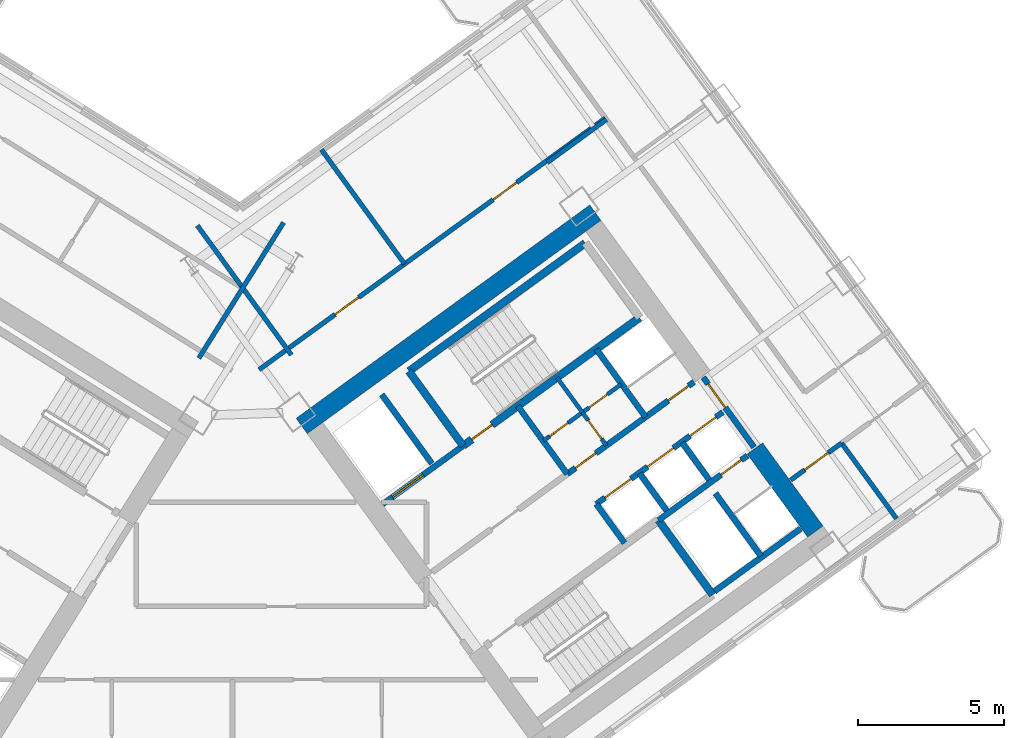
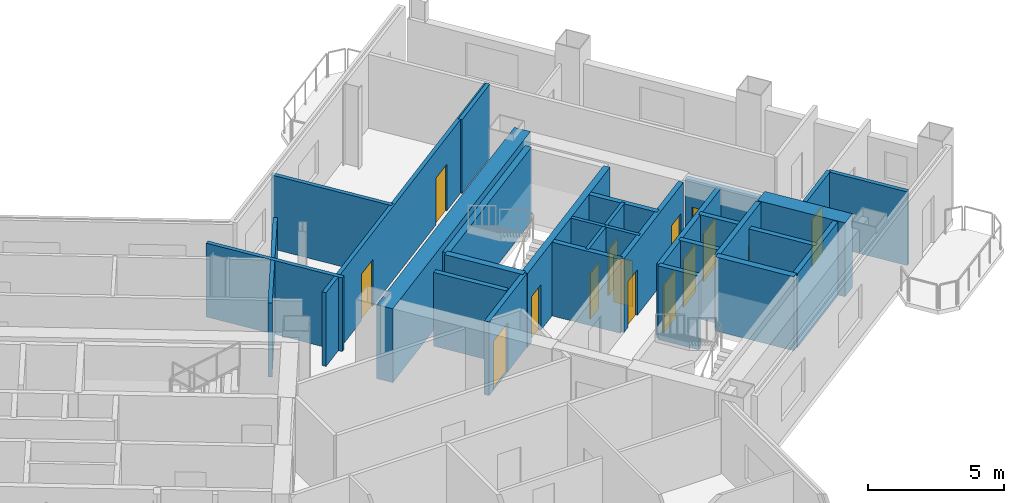
# One storey, part 14 of 21: 29 walls, 15 doors, 15 openings.
"""IFC4 building model written with IfcOpenShell, lengths in metres."""

from ifc_helpers import new_model, si_unit, direction, frame, frame_2d, origin, place, context, subcontext, project, spatial, rectangle, extrude, source, transform, mapped, material, layer, layer_set, type_object, element, fill, save


model = new_model("IFC4")

# Units and contexts
model_context = context("Model", 3, precision=1e-05, world=origin(), true_north=direction((0.0, 1.0)))
body_context = subcontext(model_context, "Body", "Model", "MODEL_VIEW")
ifc_project = project(units=[si_unit("LENGTHUNIT", "METRE"), si_unit("AREAUNIT", "SQUARE_METRE"), si_unit("VOLUMEUNIT", "CUBIC_METRE"), si_unit("PLANEANGLEUNIT", "RADIAN"), si_unit("MASSUNIT", "GRAM", prefix="KILO")], contexts=[model_context])

# Site, building, storey
site_placement = place(None, origin())
site = spatial("IfcSite", under=ifc_project, at=site_placement, CompositionType="ELEMENT")
building_placement = place(site_placement, origin())
building = spatial("IfcBuilding", under=site, at=building_placement, Name="Tlacorven Tower", CompositionType="ELEMENT")
storey_placement = place(building_placement, frame((0.0, 0.0, 81.0)))
storey = spatial("IfcBuildingStorey", under=building, at=storey_placement, Name="L20", CompositionType="ELEMENT", Elevation=81.0)

# Walls
ifc_material_1 = material(Name="Concrete C60/75", Category="concrete")
ifc_layer_1 = layer(ifc_material_1, 0.64990234375)
ifc_layer_set_1 = layer_set([ifc_layer_1], Name="Concrete C60/75")
wall_type_1 = type_object("IfcWallType", Name="WL-COR-650", PredefinedType="SHEAR", material=ifc_layer_set_1)
wall_1_placement = place(storey_placement, frame((44.32470703125, 24.113037109375, 0.0), z_axis=(0.0, 0.0, 1.0), x_axis=(0.809012664862, 0.58779121131, 0.0)))
element("IfcWall", 1, at=wall_1_placement, inside=storey, type_object=wall_type_1, Name="L20 E core shear wall S2", PredefinedType="SHEAR", context=body_context, shape_type="SweptSolid", body=[
    extrude(rectangle(XDim=12.439697265625, YDim=0.64990234375, at=frame_2d((6.2197265625, 0.0))), origin(), (0.0, 0.0, 1.0), 3.320068359375),
])
wall_2_placement = place(storey_placement, frame((61.9287109375, 20.494384765625, 0.0), z_axis=(0.0, 0.0, 1.0), x_axis=(-0.58782982593, 0.808984607855, 0.0)))
element("IfcWall", 2, at=wall_2_placement, inside=storey, type_object=wall_type_1, Name="L20 E core end wall E2.1", PredefinedType="SHEAR", context=body_context, shape_type="SweptSolid", body=[
    extrude(rectangle(XDim=3.52490234375, YDim=0.64990234375, at=frame_2d((1.762451171875, 0.0))), origin(), (0.0, 0.0, 1.0), 3.320068359375),
])
ifc_material_2 = material(Name="Gypsum plasterboard acoustic partition", Category="gypsum")
ifc_layer_2 = layer(ifc_material_2, 0.159912109375)
ifc_layer_set_2 = layer_set([ifc_layer_2], Name="Gypsum plasterboard acoustic partition")
wall_type_2 = type_object("IfcWallType", Name="WL-DEM-160", PredefinedType="PARTITIONING", material=ifc_layer_set_2)
wall_3_placement = place(storey_placement, frame((43.70361328125, 31.086181640625, 0.0), z_axis=(0.0, 0.0, 1.0), x_axis=(-0.529906828443, -0.848055866774, 0.0)))
element("IfcWall", 3, at=wall_3_placement, inside=storey, type_object=wall_type_2, Name="L20 WC West Throat Wall", PredefinedType="PARTITIONING", context=body_context, shape_type="SweptSolid", body=[
    extrude(rectangle(XDim=5.479736328125, YDim=0.159912109375, at=frame_2d((2.73974609375, 0.0))), origin(), (0.0, 0.0, 1.0), 3.31005859375),
])

# Wall, opening, door
wall_4_placement = place(storey_placement, frame((61.08203125, 22.258544921875, 0.0), z_axis=(0.0, 0.0, 1.0), x_axis=(0.809044195715, 0.587747811039, 0.0)))
wall_4 = element("IfcWall", 4, at=wall_4_placement, inside=storey, type_object=wall_type_2, Name="L20 partition 91", PredefinedType="PARTITIONING", context=body_context, shape_type="SweptSolid", body=[
    extrude(rectangle(XDim=2.157958984375, YDim=0.159912109375, at=frame_2d((1.0791015625, 0.0))), origin(), (0.0, 0.0, 1.0), 3.31005859375),
])
opening_1_placement = place(wall_4_placement, frame((0.597900390625, 0.0, 0.0)))
opening_1 = element("IfcOpeningElement", 5, at=opening_1_placement, cuts=wall_4, Name="Opening D11", PredefinedType="OPENING", context=body_context, shape_type="SweptSolid", body=[
    extrude(rectangle(XDim=1.0, YDim=2.10009765625, at=frame_2d((0.5, 1.050048828125))), frame((0.0, 0.08984375, 0.0), z_axis=(0.0, -1.0, 0.0), x_axis=(1.0, 0.0, 0.0)), (0.0, 0.0, 1.0), 0.179931640625),
])
ifc_material_3 = material(Name="Fire-rated steel door assembly", Category="steel")
door_type_1 = type_object("IfcDoorType", Name="DR-FLT-FD60-1000", OperationType="NOTDEFINED", PredefinedType="DOOR", material=ifc_material_3)
shared_shape_1 = source(origin(), body_context, "Body", "SweptSolid", [
    extrude(rectangle(XDim=1.0, YDim=2.10009765625, at=frame_2d((0.5, 1.050048828125))), frame((0.0, 0.02490234375, 0.0), z_axis=(0.0, -1.0, 0.0), x_axis=(1.0, 0.0, 0.0)), (0.0, 0.0, 1.0), 0.050048828125),
])
door_1_placement = place(opening_1_placement, frame((1.0, 0.0, 0.0), z_axis=(0.0, 0.0, 1.0), x_axis=(-1.0, 0.0, 0.0)))
door_1 = element("IfcDoor", 6, at=door_1_placement, inside=storey, type_object=door_type_1, Name="L20 door 055", OperationType="SINGLE_SWING_LEFT", OverallHeight=2.10009765625, OverallWidth=1.0, PredefinedType="DOOR", context=body_context, shape_type="MappedRepresentation", body=[
    mapped(shared_shape_1, transform((0.0, 0.0, 0.0), scale=1.0)),
])
fill(opening_1, door_1)

# Walls
wall_5_placement = place(storey_placement, frame((52.73876953125, 33.143310546875, 0.0), z_axis=(0.0, 0.0, 1.0), x_axis=(0.809000999347, 0.58780726693, 0.0)))
element("IfcWall", 7, at=wall_5_placement, inside=storey, type_object=wall_type_2, Name="L20 partition 92", PredefinedType="PARTITIONING", context=body_context, shape_type="SweptSolid", body=[
    extrude(rectangle(XDim=2.510009765625, YDim=0.159912109375, at=frame_2d((1.2548828125, 0.0))), origin(), (0.0, 0.0, 1.0), 3.31005859375),
])
wall_6_placement = place(storey_placement, frame((64.708740234375, 20.93798828125, 0.0), z_axis=(0.0, 0.0, 1.0), x_axis=(-0.587772420479, 0.809026317077, 0.0)))
element("IfcWall", 8, at=wall_6_placement, inside=storey, type_object=wall_type_2, Name="L20 partition 93", PredefinedType="PARTITIONING", context=body_context, shape_type="SweptSolid", body=[
    extrude(rectangle(XDim=3.199951171875, YDim=0.159912109375, at=frame_2d((1.60009765625, 0.0))), origin(), (0.0, 0.0, 1.0), 3.31005859375),
])

# Wall, openings, doors
wall_7_placement = place(storey_placement, frame((42.86572265625, 26.04443359375, 0.0), z_axis=(0.0, 0.0, 1.0), x_axis=(0.809020254154, 0.587780765566, 0.0)))
wall_7 = element("IfcWall", 9, at=wall_7_placement, inside=storey, type_object=wall_type_2, Name="L20 partition 99", PredefinedType="PARTITIONING", context=body_context, shape_type="SweptSolid", body=[
    extrude(rectangle(XDim=14.670166015625, YDim=0.159912109375, at=frame_2d((7.3349609375, 0.0))), origin(), (0.0, 0.0, 1.0), 3.31005859375),
])
opening_2_placement = place(wall_7_placement, frame((3.215087890625, 0.0, 0.0)))
opening_2 = element("IfcOpeningElement", 10, at=opening_2_placement, cuts=wall_7, Name="Opening D11", PredefinedType="OPENING", context=body_context, shape_type="SweptSolid", body=[
    extrude(rectangle(XDim=1.0, YDim=2.10009765625, at=frame_2d((0.5, 1.050048828125))), frame((0.0, 0.08984375, 0.0), z_axis=(0.0, -1.0, 0.0), x_axis=(1.0, 0.0, 0.0)), (0.0, 0.0, 1.0), 0.179931640625),
])
opening_3_placement = place(wall_7_placement, frame((9.9150390625, 0.0, 0.0)))
opening_3 = element("IfcOpeningElement", 11, at=opening_3_placement, cuts=wall_7, Name="Opening D11", PredefinedType="OPENING", context=body_context, shape_type="SweptSolid", body=[
    extrude(rectangle(XDim=1.0, YDim=2.10009765625, at=frame_2d((0.5, 1.050048828125))), frame((0.0, 0.08984375, 0.0), z_axis=(0.0, -1.0, 0.0), x_axis=(1.0, 0.0, 0.0)), (0.0, 0.0, 1.0), 0.179931640625),
])
door_2_placement = place(opening_2_placement, origin())
door_2 = element("IfcDoor", 12, at=door_2_placement, inside=storey, type_object=door_type_1, Name="L20 door 060", OperationType="SINGLE_SWING_RIGHT", OverallHeight=2.10009765625, OverallWidth=1.0, PredefinedType="DOOR", context=body_context, shape_type="MappedRepresentation", body=[
    mapped(shared_shape_1, transform((0.0, 0.0, 0.0), scale=1.0)),
])
fill(opening_2, door_2)
door_3_placement = place(opening_3_placement, origin())
door_3 = element("IfcDoor", 13, at=door_3_placement, inside=storey, type_object=door_type_1, Name="L20 door 061", OperationType="SINGLE_SWING_LEFT", OverallHeight=2.10009765625, OverallWidth=1.0, PredefinedType="DOOR", context=body_context, shape_type="MappedRepresentation", body=[
    mapped(shared_shape_1, transform((0.0, 0.0, 0.0), scale=1.0)),
])
fill(opening_3, door_3)

# Walls
wall_8_placement = place(storey_placement, frame((43.969482421875, 26.549560546875, 0.0), z_axis=(0.0, 0.0, 1.0), x_axis=(-0.587776919386, 0.80902304852, 0.0)))
element("IfcWall", 14, at=wall_8_placement, inside=storey, type_object=wall_type_2, Name="L20 EC West Throat Wall", PredefinedType="PARTITIONING", context=body_context, shape_type="SweptSolid", body=[
    extrude(rectangle(XDim=5.47998046875, YDim=0.159912109375, at=frame_2d((2.739990234375, 0.0))), origin(), (0.0, 0.0, 1.0), 3.31005859375),
])
wall_9_placement = place(storey_placement, frame((47.849365234375, 29.6650390625, 0.0), z_axis=(0.0, 0.0, 1.0), x_axis=(-0.587785532001, 0.809016791155, 0.0)))
element("IfcWall", 15, at=wall_9_placement, inside=storey, type_object=wall_type_2, Name="L20 EC Demising Wall 1", PredefinedType="PARTITIONING", context=body_context, shape_type="SweptSolid", body=[
    extrude(rectangle(XDim=4.85009765625, YDim=0.159912109375, at=frame_2d((2.425048828125, 0.0))), origin(), (0.0, 0.0, 1.0), 3.31005859375),
])

# Wall, opening, door
ifc_material_4 = material(Name="Moisture-resistant gypsum plumbing wall", Category="gypsum")
ifc_layer_3 = layer(ifc_material_4, 0.139892578125)
ifc_layer_set_3 = layer_set([ifc_layer_3], Name="Moisture-resistant gypsum plumbing wall")
wall_type_3 = type_object("IfcWallType", Name="WL-PLM-140", PredefinedType="PLUMBINGWALL", material=ifc_layer_set_3)
wall_10_placement = place(storey_placement, frame((54.767578125, 23.443359375, 0.0), z_axis=(0.0, 0.0, 1.0), x_axis=(-0.587736077749, 0.809052719489, 0.0)))
wall_10 = element("IfcWall", 16, at=wall_10_placement, inside=storey, type_object=wall_type_3, Name="L20 partition 46", PredefinedType="PLUMBINGWALL", context=body_context, shape_type="SweptSolid", body=[
    extrude(rectangle(XDim=1.39990234375, YDim=0.139892578125, at=frame_2d((0.699951171875, 0.0))), origin(), (0.0, 0.0, 1.0), 3.31005859375),
])
opening_4_placement = place(wall_10_placement, frame((0.280029296875, 0.0, 0.0)))
opening_4 = element("IfcOpeningElement", 17, at=opening_4_placement, cuts=wall_10, Name="Opening D22", PredefinedType="OPENING", context=body_context, shape_type="SweptSolid", body=[
    extrude(rectangle(XDim=0.780029296875, YDim=2.050048828125, at=frame_2d((0.39013671875, 1.02490234375))), frame((0.0, 0.080078125, 0.0), z_axis=(0.0, -1.0, 0.0), x_axis=(1.0, 0.0, 0.0)), (0.0, 0.0, 1.0), 0.159912109375),
])
ifc_material_5 = material(Name="Powder-coated aluminium and timber door", Category="wood")
door_type_2 = type_object("IfcDoorType", Name="DR-INT-WET-0780", OperationType="NOTDEFINED", PredefinedType="DOOR", material=ifc_material_5)
shared_shape_2 = source(origin(), body_context, "Body", "SweptSolid", [
    extrude(rectangle(XDim=0.780029296875, YDim=2.050048828125, at=frame_2d((0.39013671875, 1.02490234375))), frame((0.0, 0.02490234375, 0.0), z_axis=(0.0, -1.0, 0.0), x_axis=(1.0, 0.0, 0.0)), (0.0, 0.0, 1.0), 0.050048828125),
])
door_4_placement = place(opening_4_placement, origin())
door_4 = element("IfcDoor", 18, at=door_4_placement, inside=storey, type_object=door_type_2, Name="L20 door 019", OperationType="SINGLE_SWING_RIGHT", OverallHeight=2.050048828125, OverallWidth=0.780029296875, PredefinedType="DOOR", context=body_context, shape_type="MappedRepresentation", body=[
    mapped(shared_shape_2, transform((0.0, 0.0, 0.0), scale=1.0)),
])
fill(opening_4, door_4)

# Wall
wall_11_placement = place(storey_placement, frame((53.94482421875, 24.575927734375, 0.0), z_axis=(0.0, 0.0, 1.0), x_axis=(-0.587897037186, 0.808935766095, 0.0)))
element("IfcWall", 19, at=wall_11_placement, inside=storey, type_object=wall_type_3, Name="L20 partition 47", PredefinedType="PLUMBINGWALL", context=body_context, shape_type="SweptSolid", body=[
    extrude(rectangle(XDim=1.47998046875, YDim=0.139892578125, at=frame_2d((0.739990234375, 0.0))), origin(), (0.0, 0.0, 1.0), 3.31005859375),
])

# Wall, openings, doors
wall_12_placement = place(storey_placement, frame((52.617919921875, 23.612060546875, 0.0), z_axis=(0.0, 0.0, 1.0), x_axis=(0.809009587469, 0.587795446889, 0.0)))
wall_12 = element("IfcWall", 20, at=wall_12_placement, inside=storey, type_object=wall_type_3, Name="L20 partition 48", PredefinedType="PLUMBINGWALL", context=body_context, shape_type="SweptSolid", body=[
    extrude(rectangle(XDim=3.280029296875, YDim=0.139892578125, at=frame_2d((1.64013671875, 0.0))), origin(), (0.0, 0.0, 1.0), 3.31005859375),
])
opening_5_placement = place(wall_12_placement, frame((0.25, 0.0, 0.0)))
opening_5 = element("IfcOpeningElement", 21, at=opening_5_placement, cuts=wall_12, Name="Opening D22", PredefinedType="OPENING", context=body_context, shape_type="SweptSolid", body=[
    extrude(rectangle(XDim=0.780029296875, YDim=2.050048828125, at=frame_2d((0.39013671875, 1.02490234375))), frame((0.0, 0.080078125, 0.0), z_axis=(0.0, -1.0, 0.0), x_axis=(1.0, 0.0, 0.0)), (0.0, 0.0, 1.0), 0.159912109375),
])
opening_6_placement = place(wall_12_placement, frame((1.919921875, 0.0, 0.0)))
opening_6 = element("IfcOpeningElement", 22, at=opening_6_placement, cuts=wall_12, Name="Opening D22", PredefinedType="OPENING", context=body_context, shape_type="SweptSolid", body=[
    extrude(rectangle(XDim=0.780029296875, YDim=2.050048828125, at=frame_2d((0.39013671875, 1.02490234375))), frame((0.0, 0.080078125, 0.0), z_axis=(0.0, -1.0, 0.0), x_axis=(1.0, 0.0, 0.0)), (0.0, 0.0, 1.0), 0.159912109375),
])
door_5_placement = place(opening_5_placement, origin())
door_5 = element("IfcDoor", 23, at=door_5_placement, inside=storey, type_object=door_type_2, Name="L20 door 020", OperationType="SINGLE_SWING_LEFT", OverallHeight=2.050048828125, OverallWidth=0.780029296875, PredefinedType="DOOR", context=body_context, shape_type="MappedRepresentation", body=[
    mapped(shared_shape_2, transform((0.0, 0.0, 0.0), scale=1.0)),
])
fill(opening_5, door_5)
door_6_placement = place(opening_6_placement, origin())
door_6 = element("IfcDoor", 24, at=door_6_placement, inside=storey, type_object=door_type_2, Name="L20 door 021", OperationType="SINGLE_SWING_RIGHT", OverallHeight=2.050048828125, OverallWidth=0.780029296875, PredefinedType="DOOR", context=body_context, shape_type="MappedRepresentation", body=[
    mapped(shared_shape_2, transform((0.0, 0.0, 0.0), scale=1.0)),
])
fill(opening_6, door_6)

# Wall, opening, door
ifc_material_6 = material(Name="Concrete C40/50", Category="concrete")
ifc_layer_4 = layer(ifc_material_6, 0.199951171875)
ifc_layer_set_4 = layer_set([ifc_layer_4], Name="Concrete C40/50")
wall_type_4 = type_object("IfcWallType", Name="WL-SHF-200", PredefinedType="STANDARD", material=ifc_layer_set_4)
wall_13_placement = place(storey_placement, frame((47.10595703125, 21.4365234375, 0.0), z_axis=(0.0, 0.0, 1.0), x_axis=(0.809012514015, 0.58779141893, 0.0)))
wall_13 = element("IfcWall", 25, at=wall_13_placement, inside=storey, type_object=wall_type_4, Name="L20 Core E Firefighting Lift Shaft Front Wall", PredefinedType="STANDARD", context=body_context, shape_type="SweptSolid", body=[
    extrude(rectangle(XDim=3.39794921875, YDim=0.199951171875, at=frame_2d((1.698974609375, 0.0))), origin(), (0.0, 0.0, 1.0), 3.31005859375),
])
opening_7_placement = place(wall_13_placement, frame((0.407958984375, 0.0, 0.0)))
opening_7 = element("IfcOpeningElement", 26, at=opening_7_placement, cuts=wall_13, Name="Opening LD03", PredefinedType="OPENING", context=body_context, shape_type="SweptSolid", body=[
    extrude(rectangle(XDim=1.300048828125, YDim=2.199951171875, at=frame_2d((0.64990234375, 1.10009765625))), frame((0.0, 0.10986328125, 0.0), z_axis=(0.0, -1.0, 0.0), x_axis=(1.0, 0.0, 0.0)), (0.0, 0.0, 1.0), 0.219970703125),
])
door_type_3 = type_object("IfcDoorType", Name="DR-LFT-SLID-1300", OperationType="DOUBLE_DOOR_SLIDING", PredefinedType="DOOR", material=ifc_material_3)
shared_shape_3 = source(origin(), body_context, "Body", "SweptSolid", [
    extrude(rectangle(XDim=1.300048828125, YDim=2.199951171875, at=frame_2d((0.64990234375, 1.10009765625))), frame((0.0, 0.02490234375, 0.0), z_axis=(0.0, -1.0, 0.0), x_axis=(1.0, 0.0, 0.0)), (0.0, 0.0, 1.0), 0.050048828125),
])
door_7_placement = place(opening_7_placement, origin())
door_7 = element("IfcDoor", 27, at=door_7_placement, inside=storey, type_object=door_type_3, Name="L20 Lift FFL-E1 Sliding Landing Door", OperationType="DOUBLE_DOOR_SLIDING", OverallHeight=2.199951171875, OverallWidth=1.300048828125, PredefinedType="DOOR", context=body_context, shape_type="MappedRepresentation", body=[
    mapped(shared_shape_3, transform((0.0, 0.0, 0.0), scale=1.0)),
])
fill(opening_7, door_7)

wall_14_placement = place(storey_placement, frame((56.552978515625, 20.884033203125, 0.0), z_axis=(0.0, 0.0, 1.0), x_axis=(0.809035789462, 0.587759382205, 0.0)))
wall_14 = element("IfcWall", 28, at=wall_14_placement, inside=storey, type_object=wall_type_4, Name="L20 Core E South Lift Shaft Wall", PredefinedType="STANDARD", context=body_context, shape_type="SweptSolid", body=[
    extrude(rectangle(XDim=3.767822265625, YDim=0.199951171875, at=frame_2d((1.8837890625, 0.0))), origin(), (0.0, 0.0, 1.0), 3.31005859375),
])
opening_8_placement = place(wall_14_placement, frame((2.64990234375, 0.0, 0.0)))
opening_8 = element("IfcOpeningElement", 29, at=opening_8_placement, cuts=wall_14, Name="Opening D19", PredefinedType="OPENING", context=body_context, shape_type="SweptSolid", body=[
    extrude(rectangle(XDim=0.860107421875, YDim=2.050048828125, at=frame_2d((0.43017578125, 1.02490234375))), frame((0.0, 0.10986328125, 0.0), z_axis=(0.0, -1.0, 0.0), x_axis=(1.0, 0.0, 0.0)), (0.0, 0.0, 1.0), 0.219970703125),
])
door_type_4 = type_object("IfcDoorType", Name="DR-RSR-FD60-0860", OperationType="NOTDEFINED", PredefinedType="DOOR", material=ifc_material_3)
shared_shape_4 = source(origin(), body_context, "Body", "SweptSolid", [
    extrude(rectangle(XDim=0.860107421875, YDim=2.050048828125, at=frame_2d((0.43017578125, 1.02490234375))), frame((0.0, 0.02490234375, 0.0), z_axis=(0.0, -1.0, 0.0), x_axis=(1.0, 0.0, 0.0)), (0.0, 0.0, 1.0), 0.050048828125),
])
door_8_placement = place(opening_8_placement, origin())
door_8 = element("IfcDoor", 30, at=door_8_placement, inside=storey, type_object=door_type_4, Name="L20 Smoke Extract Riser Access Door", OperationType="SINGLE_SWING_LEFT", OverallHeight=2.050048828125, OverallWidth=0.860107421875, PredefinedType="DOOR", context=body_context, shape_type="MappedRepresentation", body=[
    mapped(shared_shape_4, transform((0.0, 0.0, 0.0), scale=1.0)),
])
fill(opening_8, door_8)

# Wall, openings, doors
wall_15_placement = place(storey_placement, frame((54.421142578125, 21.436279296875, 0.0), z_axis=(0.0, 0.0, 1.0), x_axis=(0.809013710463, 0.587789772183, 0.0)))
wall_15 = element("IfcWall", 31, at=wall_15_placement, inside=storey, type_object=wall_type_4, Name="L20 partition 34", PredefinedType="STANDARD", context=body_context, shape_type="SweptSolid", body=[
    extrude(rectangle(XDim=5.360107421875, YDim=0.199951171875, at=frame_2d((2.68017578125, 0.0))), origin(), (0.0, 0.0, 1.0), 3.31005859375),
])
opening_9_placement = place(wall_15_placement, frame((0.3701171875, 0.0, 0.0)))
opening_9 = element("IfcOpeningElement", 32, at=opening_9_placement, cuts=wall_15, Name="Opening LD01", PredefinedType="OPENING", context=body_context, shape_type="SweptSolid", body=[
    extrude(rectangle(XDim=1.10009765625, YDim=2.14990234375, at=frame_2d((0.550048828125, 1.074951171875))), frame((0.0, 0.10986328125, 0.0), z_axis=(0.0, -1.0, 0.0), x_axis=(1.0, 0.0, 0.0)), (0.0, 0.0, 1.0), 0.219970703125),
])
opening_10_placement = place(wall_15_placement, frame((2.169921875, 0.0, 0.0)))
opening_10 = element("IfcOpeningElement", 33, at=opening_10_placement, cuts=wall_15, Name="Opening LD01", PredefinedType="OPENING", context=body_context, shape_type="SweptSolid", body=[
    extrude(rectangle(XDim=1.10009765625, YDim=2.14990234375, at=frame_2d((0.550048828125, 1.074951171875))), frame((0.0, 0.10986328125, 0.0), z_axis=(0.0, -1.0, 0.0), x_axis=(1.0, 0.0, 0.0)), (0.0, 0.0, 1.0), 0.219970703125),
])
opening_11_placement = place(wall_15_placement, frame((3.969970703125, 0.0, 0.0)))
opening_11 = element("IfcOpeningElement", 34, at=opening_11_placement, cuts=wall_15, Name="Opening LD01", PredefinedType="OPENING", context=body_context, shape_type="SweptSolid", body=[
    extrude(rectangle(XDim=1.10009765625, YDim=2.14990234375, at=frame_2d((0.550048828125, 1.074951171875))), frame((0.0, 0.10986328125, 0.0), z_axis=(0.0, -1.0, 0.0), x_axis=(1.0, 0.0, 0.0)), (0.0, 0.0, 1.0), 0.219970703125),
])
door_type_5 = type_object("IfcDoorType", Name="DR-LFT-SLID-1100", OperationType="DOUBLE_DOOR_SLIDING", PredefinedType="DOOR", material=ifc_material_3)
shared_shape_5 = source(origin(), body_context, "Body", "SweptSolid", [
    extrude(rectangle(XDim=1.10009765625, YDim=2.14990234375, at=frame_2d((0.550048828125, 1.074951171875))), frame((0.0, 0.02490234375, 0.0), z_axis=(0.0, -1.0, 0.0), x_axis=(1.0, 0.0, 0.0)), (0.0, 0.0, 1.0), 0.050048828125),
])
door_9_placement = place(opening_9_placement, origin())
door_9 = element("IfcDoor", 35, at=door_9_placement, inside=storey, type_object=door_type_5, Name="L20 Lift PL-L1 Sliding Landing Door", OperationType="DOUBLE_DOOR_SLIDING", OverallHeight=2.14990234375, OverallWidth=1.10009765625, PredefinedType="DOOR", context=body_context, shape_type="MappedRepresentation", body=[
    mapped(shared_shape_5, transform((0.0, 0.0, 0.0), scale=1.0)),
])
fill(opening_9, door_9)
door_10_placement = place(opening_10_placement, origin())
door_10 = element("IfcDoor", 36, at=door_10_placement, inside=storey, type_object=door_type_5, Name="L20 Lift PL-L2 Sliding Landing Door", OperationType="DOUBLE_DOOR_SLIDING", OverallHeight=2.14990234375, OverallWidth=1.10009765625, PredefinedType="DOOR", context=body_context, shape_type="MappedRepresentation", body=[
    mapped(shared_shape_5, transform((0.0, 0.0, 0.0), scale=1.0)),
])
fill(opening_10, door_10)
door_11_placement = place(opening_11_placement, origin())
door_11 = element("IfcDoor", 37, at=door_11_placement, inside=storey, type_object=door_type_5, Name="L20 Lift PL-L3 Sliding Landing Door", OperationType="DOUBLE_DOOR_SLIDING", OverallHeight=2.14990234375, OverallWidth=1.10009765625, PredefinedType="DOOR", context=body_context, shape_type="MappedRepresentation", body=[
    mapped(shared_shape_5, transform((0.0, 0.0, 0.0), scale=1.0)),
])
fill(opening_11, door_11)

# Walls
wall_16_placement = place(storey_placement, frame((55.390869140625, 20.1015625, 0.0), z_axis=(0.0, 0.0, 1.0), x_axis=(-0.58778447739, 0.809017557374, 0.0)))
element("IfcWall", 38, at=wall_16_placement, inside=storey, type_object=wall_type_4, Name="L20 partition 35", PredefinedType="STANDARD", context=body_context, shape_type="SweptSolid", body=[
    extrude(rectangle(XDim=1.64990234375, YDim=0.199951171875, at=frame_2d((0.824951171875, 0.0))), origin(), (0.0, 0.0, 1.0), 3.31005859375),
])
wall_17_placement = place(storey_placement, frame((48.78564453125, 22.830078125, 0.0), z_axis=(0.0, 0.0, 1.0), x_axis=(-0.587783856777, 0.809018008275, 0.0)))
element("IfcWall", 39, at=wall_17_placement, inside=storey, type_object=wall_type_4, Name="L20 partition 36", PredefinedType="STANDARD", context=body_context, shape_type="SweptSolid", body=[
    extrude(rectangle(XDim=2.919921875, YDim=0.199951171875, at=frame_2d((1.4599609375, 0.0))), origin(), (0.0, 0.0, 1.0), 3.31005859375),
])
wall_18_placement = place(storey_placement, frame((56.833984375, 21.211669921875, 0.0), z_axis=(0.0, 0.0, 1.0), x_axis=(-0.58776738483, 0.809029975545, 0.0)))
element("IfcWall", 40, at=wall_18_placement, inside=storey, type_object=wall_type_4, Name="L20 partition 37", PredefinedType="STANDARD", context=body_context, shape_type="SweptSolid", body=[
    extrude(rectangle(XDim=1.580078125, YDim=0.199951171875, at=frame_2d((0.7900390625, 0.0))), origin(), (0.0, 0.0, 1.0), 3.31005859375),
])
wall_19_placement = place(storey_placement, frame((58.290283203125, 22.269775390625, 0.0), z_axis=(0.0, 0.0, 1.0), x_axis=(-0.587840865826, 0.808976585857, 0.0)))
element("IfcWall", 41, at=wall_19_placement, inside=storey, type_object=wall_type_4, Name="L20 partition 38", PredefinedType="STANDARD", context=body_context, shape_type="SweptSolid", body=[
    extrude(rectangle(XDim=1.579833984375, YDim=0.199951171875, at=frame_2d((0.7900390625, 0.0))), origin(), (0.0, 0.0, 1.0), 3.31005859375),
])
wall_20_placement = place(storey_placement, frame((60.066650390625, 19.654541015625, 0.0), z_axis=(0.0, 0.0, 1.0), x_axis=(-0.587800520745, 0.809005900975, 0.0)))
element("IfcWall", 42, at=wall_20_placement, inside=storey, type_object=wall_type_4, Name="L20 partition 39", PredefinedType="STANDARD", context=body_context, shape_type="SweptSolid", body=[
    extrude(rectangle(XDim=2.659912109375, YDim=0.199951171875, at=frame_2d((1.330078125, 0.0))), origin(), (0.0, 0.0, 1.0), 3.31005859375),
])
wall_21_placement = place(storey_placement, frame((58.47216796875, 18.446533203125, 0.0), z_axis=(0.0, 0.0, 1.0), x_axis=(0.809022487728, 0.587777691266, 0.0)))
element("IfcWall", 43, at=wall_21_placement, inside=storey, type_object=wall_type_4, Name="L20 partition 41", PredefinedType="STANDARD", context=body_context, shape_type="SweptSolid", body=[
    extrude(rectangle(XDim=3.648193359375, YDim=0.199951171875, at=frame_2d((1.82421875, 0.0))), origin(), (0.0, 0.0, 1.0), 3.31005859375),
])
wall_22_placement = place(storey_placement, frame((53.424560546875, 22.467529296875, 0.0), z_axis=(0.0, 0.0, 1.0), x_axis=(-0.5877230039, 0.809062216821, 0.0)))
element("IfcWall", 44, at=wall_22_placement, inside=storey, type_object=wall_type_4, Name="L20 partition 43", PredefinedType="STANDARD", context=body_context, shape_type="SweptSolid", body=[
    extrude(rectangle(XDim=2.8798828125, YDim=0.199951171875, at=frame_2d((1.43994140625, 0.0))), origin(), (0.0, 0.0, 1.0), 3.31005859375),
])
wall_23_placement = place(storey_placement, frame((56.110595703125, 24.4189453125, 0.0), z_axis=(0.0, 0.0, 1.0), x_axis=(-0.58777848983, 0.809021907548, 0.0)))
element("IfcWall", 45, at=wall_23_placement, inside=storey, type_object=wall_type_4, Name="L20 partition 44", PredefinedType="STANDARD", context=body_context, shape_type="SweptSolid", body=[
    extrude(rectangle(XDim=2.880126953125, YDim=0.199951171875, at=frame_2d((1.43994140625, 0.0))), origin(), (0.0, 0.0, 1.0), 3.31005859375),
])

# Wall, openings, doors
wall_24_placement = place(storey_placement, frame((53.424560546875, 22.467529296875, 0.0), z_axis=(0.0, 0.0, 1.0), x_axis=(0.80902705128, 0.587771409902, 0.0)))
wall_24 = element("IfcWall", 46, at=wall_24_placement, inside=storey, type_object=wall_type_4, Name="L20 Core E North Service Wall", PredefinedType="STANDARD", context=body_context, shape_type="SweptSolid", body=[
    extrude(rectangle(XDim=5.3681640625, YDim=0.199951171875, at=frame_2d((2.68408203125, 0.0))), origin(), (0.0, 0.0, 1.0), 3.31005859375),
])
opening_12_placement = place(wall_24_placement, frame((4.280029296875, 0.0, 0.0)))
opening_12 = element("IfcOpeningElement", 47, at=opening_12_placement, cuts=wall_24, Name="Opening D19", PredefinedType="OPENING", context=body_context, shape_type="SweptSolid", body=[
    extrude(rectangle(XDim=0.860107421875, YDim=2.050048828125, at=frame_2d((0.43017578125, 1.02490234375))), frame((0.0, 0.10986328125, 0.0), z_axis=(0.0, -1.0, 0.0), x_axis=(1.0, 0.0, 0.0)), (0.0, 0.0, 1.0), 0.219970703125),
])
opening_13_placement = place(wall_24_placement, frame((0.35009765625, 0.0, 0.0)))
opening_13 = element("IfcOpeningElement", 48, at=opening_13_placement, cuts=wall_24, Name="Opening D19", PredefinedType="OPENING", context=body_context, shape_type="SweptSolid", body=[
    extrude(rectangle(XDim=0.860107421875, YDim=2.050048828125, at=frame_2d((0.43017578125, 1.02490234375))), frame((0.0, 0.10986328125, 0.0), z_axis=(0.0, -1.0, 0.0), x_axis=(1.0, 0.0, 0.0)), (0.0, 0.0, 1.0), 0.219970703125),
])
door_12_placement = place(opening_12_placement, frame((0.860107421875, 0.0, 0.0), z_axis=(0.0, 0.0, 1.0), x_axis=(-1.0, 0.0, 0.0)))
door_12 = element("IfcDoor", 49, at=door_12_placement, inside=storey, type_object=door_type_4, Name="L20 Electrical Riser Access Door E", OperationType="SINGLE_SWING_RIGHT", OverallHeight=2.050048828125, OverallWidth=0.860107421875, PredefinedType="DOOR", context=body_context, shape_type="MappedRepresentation", body=[
    mapped(shared_shape_4, transform((0.0, 0.0, 0.0), scale=1.0)),
])
fill(opening_12, door_12)
door_13_placement = place(opening_13_placement, frame((0.860107421875, 0.0, 0.0), z_axis=(0.0, 0.0, 1.0), x_axis=(-1.0, 0.0, 0.0)))
door_13 = element("IfcDoor", 50, at=door_13_placement, inside=storey, type_object=door_type_4, Name="L20 Cleaning Room Access Door E", OperationType="SINGLE_SWING_LEFT", OverallHeight=2.050048828125, OverallWidth=0.860107421875, PredefinedType="DOOR", context=body_context, shape_type="MappedRepresentation", body=[
    mapped(shared_shape_4, transform((0.0, 0.0, 0.0), scale=1.0)),
])
fill(opening_13, door_13)

# Wall, opening, door
wall_25_placement = place(storey_placement, frame((59.827392578125, 23.386474609375, 0.0), z_axis=(0.0, 0.0, 1.0), x_axis=(-0.587803840107, 0.809003489211, 0.0)))
wall_25 = element("IfcWall", 51, at=wall_25_placement, inside=storey, type_object=wall_type_4, Name="L20 partition 90", PredefinedType="STANDARD", context=body_context, shape_type="SweptSolid", body=[
    extrude(rectangle(XDim=2.960205078125, YDim=0.199951171875, at=frame_2d((1.47998046875, 0.0))), origin(), (0.0, 0.0, 1.0), 3.31005859375),
])
opening_14_placement = place(wall_25_placement, frame((1.679931640625, 0.0, 0.0)))
opening_14 = element("IfcOpeningElement", 52, at=opening_14_placement, cuts=wall_25, Name="Opening D11", PredefinedType="OPENING", context=body_context, shape_type="SweptSolid", body=[
    extrude(rectangle(XDim=1.0, YDim=2.10009765625, at=frame_2d((0.5, 1.050048828125))), frame((0.0, 0.10986328125, 0.0), z_axis=(0.0, -1.0, 0.0), x_axis=(1.0, 0.0, 0.0)), (0.0, 0.0, 1.0), 0.219970703125),
])
door_14_placement = place(opening_14_placement, origin())
door_14 = element("IfcDoor", 53, at=door_14_placement, inside=storey, type_object=door_type_1, Name="L20 door 056", OperationType="SINGLE_SWING_RIGHT", OverallHeight=2.10009765625, OverallWidth=1.0, PredefinedType="DOOR", context=body_context, shape_type="MappedRepresentation", body=[
    mapped(shared_shape_1, transform((0.0, 0.0, 0.0), scale=1.0)),
])
fill(opening_14, door_14)

# Wall
ifc_material_7 = material(Name="Concrete C50/60", Category="concrete")
ifc_layer_5 = layer(ifc_material_7, 0.260009765625)
ifc_layer_set_5 = layer_set([ifc_layer_5], Name="Concrete C50/60")
wall_type_5 = type_object("IfcWallType", Name="WL-STW-260", PredefinedType="SHEAR", material=ifc_layer_set_5)
wall_26_placement = place(storey_placement, frame((48.005615234375, 25.996337890625, 0.0), z_axis=(0.0, 0.0, 1.0), x_axis=(0.80901903764, 0.587782439969, 0.0)))
element("IfcWall", 54, at=wall_26_placement, inside=storey, type_object=wall_type_5, Name="L20 Stair E1 Far Shear Wall", PredefinedType="SHEAR", context=body_context, shape_type="SweptSolid", body=[
    extrude(rectangle(XDim=7.4599609375, YDim=0.260009765625, at=frame_2d((3.72998046875, 0.0))), origin(), (0.0, 0.0, 1.0), 3.320068359375),
])

# Wall, opening, door
wall_27_placement = place(storey_placement, frame((49.863037109375, 23.439697265625, 0.0), z_axis=(0.0, 0.0, 1.0), x_axis=(0.809003474932, 0.587803859759, 0.0)))
wall_27 = element("IfcWall", 55, at=wall_27_placement, inside=storey, type_object=wall_type_5, Name="L20 Stair E1 Lobby Shear Wall", PredefinedType="SHEAR", context=body_context, shape_type="SweptSolid", body=[
    extrude(rectangle(XDim=7.4599609375, YDim=0.260009765625, at=frame_2d((3.72998046875, 0.0))), origin(), (0.0, 0.0, 1.0), 3.320068359375),
])
opening_15_placement = place(wall_27_placement, frame((0.360107421875, 0.0, 0.0)))
opening_15 = element("IfcOpeningElement", 56, at=opening_15_placement, cuts=wall_27, Name="Opening D19", PredefinedType="OPENING", context=body_context, shape_type="SweptSolid", body=[
    extrude(rectangle(XDim=0.860107421875, YDim=2.050048828125, at=frame_2d((0.43017578125, 1.02490234375))), frame((0.0, 0.14013671875, 0.0), z_axis=(0.0, -1.0, 0.0), x_axis=(1.0, 0.0, 0.0)), (0.0, 0.0, 1.0), 0.280029296875),
])
door_15_placement = place(opening_15_placement, frame((0.860107421875, 0.0, 0.0), z_axis=(0.0, 0.0, 1.0), x_axis=(-1.0, 0.0, 0.0)))
door_15 = element("IfcDoor", 57, at=door_15_placement, inside=storey, type_object=door_type_4, Name="L20 Exit Stair E1 Fire Door", OperationType="SINGLE_SWING_LEFT", OverallHeight=2.050048828125, OverallWidth=0.860107421875, PredefinedType="DOOR", context=body_context, shape_type="MappedRepresentation", body=[
    mapped(shared_shape_4, transform((0.0, 0.0, 0.0), scale=1.0)),
])
fill(opening_15, door_15)

# Walls
for number, where, z_axis, x_axis, name in (
    (58, (49.85498046875, 23.433837890625, 0.0), (0.0, 0.0, 1.0), (-0.58776738483, 0.809029975545, 0.0), "L20 Stair E1 West Shear Wall"),
    (59, (58.410400390625, 18.327392578125, 0.0), (0.0, 0.0, 1.0), (-0.58776738483, 0.809029975545, 0.0), "L20 Stair E2 East Shear Wall"),
):
    element("IfcWall", number, at=place(storey_placement, frame(where, z_axis=z_axis, x_axis=x_axis)), inside=storey, type_object=wall_type_5, Name=name, PredefinedType="SHEAR", context=body_context, shape_type="SweptSolid", body=[
        extrude(rectangle(XDim=3.16015625, YDim=0.260009765625, at=frame_2d((1.580078125, 0.0))), origin(), (0.0, 0.0, 1.0), 3.320068359375),
    ])

save(model, "model.ifc")
